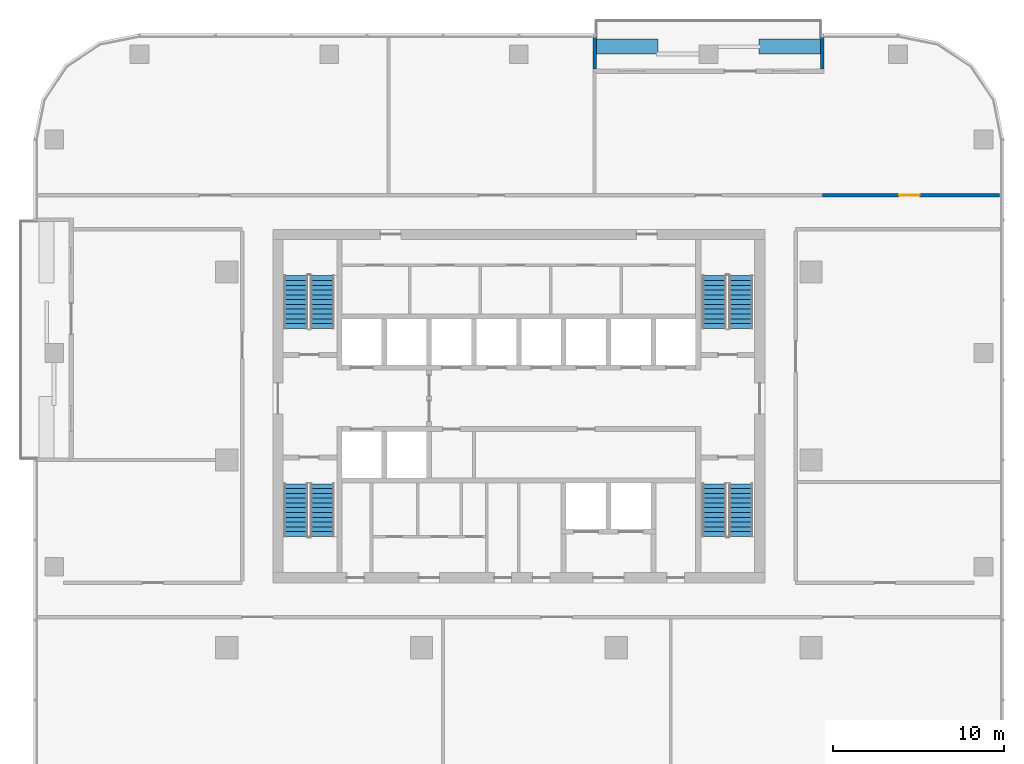
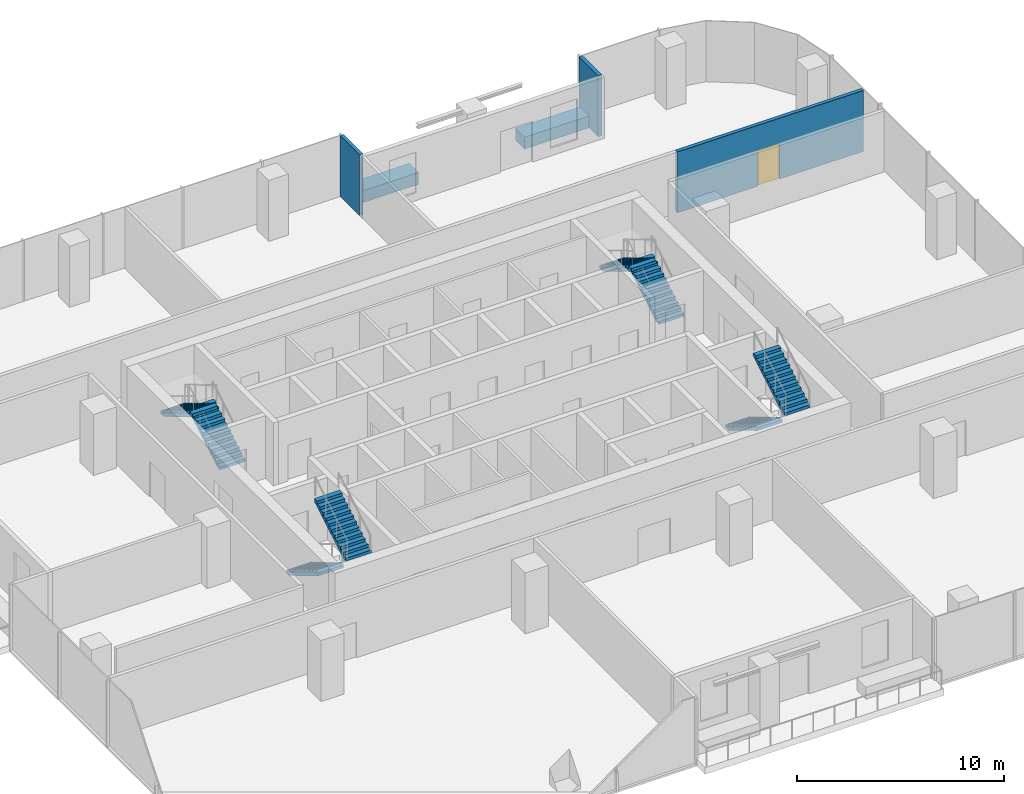
# One storey, part 10 of 14: 8 stair flights, 5 walls, 1 door, 1 opening, 4 elements without a shape of their own.
"""IFC4 building model written with IfcOpenShell, lengths in metres."""

from ifc_helpers import new_model, si_unit, direction, frame, frame_2d, origin, place, context, subcontext, project, spatial, polyline, rectangle, outline, extrude, material, layer, layer_set, type_object, element, fill, aggregate, save


model = new_model("IFC4")

# Units and contexts
model_context = context("Model", 3, precision=1e-05, world=origin(), true_north=direction((0.0, 1.0)))
body_context = subcontext(model_context, "Body", "Model", "MODEL_VIEW")
ifc_project = project(units=[si_unit("LENGTHUNIT", "METRE"), si_unit("AREAUNIT", "SQUARE_METRE"), si_unit("VOLUMEUNIT", "CUBIC_METRE"), si_unit("PLANEANGLEUNIT", "RADIAN"), si_unit("MASSUNIT", "GRAM", prefix="KILO")], contexts=[model_context])

# Site, building, storey
site_placement = place(None, origin())
site = spatial("IfcSite", under=ifc_project, at=site_placement, CompositionType="ELEMENT")
building_placement = place(site_placement, origin())
building = spatial("IfcBuilding", under=site, at=building_placement, Name="Mopane Tessera Tower", CompositionType="ELEMENT")
storey_placement = place(building_placement, frame((0.0, 0.0, 239.0)))
storey = spatial("IfcBuildingStorey", under=building, at=storey_placement, Name="L51", CompositionType="ELEMENT", Elevation=239.0)

# Wall, opening, door
ifc_material_1 = material(Name="Gypsum board on steel studs, two layers each face, mineral wool infill", Category="steel")
ifc_layer_1 = layer(ifc_material_1, 0.199951171875)
ifc_layer_set_1 = layer_set([ifc_layer_1], Name="Gypsum board on steel studs, two layers each face, mineral wool infill")
wall_type_1 = type_object("IfcWallType", Name="Gypsum board corridor wall 200, rated EI 60", PredefinedType="PARTITIONING", material=ifc_layer_set_1)
wall_placement = place(storey_placement, frame((17.784912109375, 15.5, 0.0), z_axis=(0.0, 0.0, 1.0), x_axis=(1.0, 0.0, 0.0)))
wall = element("IfcWall", 1, at=wall_placement, inside=storey, type_object=wall_type_1, Name="Partition L51:008", PredefinedType="PARTITIONING", context=body_context, shape_type="SweptSolid", body=[
    extrude(rectangle(XDim=10.364990234375, YDim=0.199951171875, at=frame_2d((5.1826171875, 0.0))), origin(), (0.0, 0.0, 1.0), 3.60009765625),
])
opening_placement = place(wall_placement, frame((4.482421875, 0.0, 0.0)))
opening = element("IfcOpeningElement", 2, at=opening_placement, cuts=wall, Name="Opening L51-04", PredefinedType="OPENING", context=body_context, shape_type="SweptSolid", body=[
    extrude(rectangle(XDim=1.199951171875, YDim=2.10009765625, at=frame_2d((0.60009765625, 1.050048828125))), frame((0.0, 0.112060546875, 0.0), z_axis=(0.0, -1.0, 0.0), x_axis=(1.0, 0.0, 0.0)), (0.0, 0.0, 1.0), 0.223876953125),
])
ifc_material_2 = material(Name="Timber veneered steel-framed fire door", Category="steel")
door_type = type_object("IfcDoorType", Name="Fire door FD60 1200 x 2100", OperationType="SINGLE_SWING_LEFT", PredefinedType="DOOR", material=ifc_material_2)
door_placement = place(opening_placement, origin())
door = element("IfcDoor", 3, at=door_placement, inside=storey, type_object=door_type, Name="Door L51-04", ObjectType="D15A", OperationType="SINGLE_SWING_LEFT", OverallHeight=2.10009765625, OverallWidth=1.199951171875, PredefinedType="DOOR", context=body_context, shape_type="SweptSolid", body=[
    extrude(rectangle(XDim=1.199951171875, YDim=2.10009765625, at=frame_2d((0.60009765625, 1.050048828125))), frame((0.0, 0.02490234375, 0.0), z_axis=(0.0, -1.0, 0.0), x_axis=(1.0, 0.0, 0.0)), (0.0, 0.0, 1.0), 0.050048828125),
])
fill(opening, door)

# Walls
ifc_material_3 = material(Name="Reinforced concrete C32/40 with waterproofing", Category="concrete")
ifc_layer_2 = layer(ifc_material_3, 0.89990234375)
ifc_layer_set_2 = layer_set([ifc_layer_2], Name="Reinforced concrete C32/40 with waterproofing")
wall_type_2 = type_object("IfcWallType", Name="Planter trough 3600 x 900", PredefinedType="STANDARD", material=ifc_layer_set_2)
for number, where, z_axis, x_axis, name in (
    (4, (17.659912109375, 24.199951171875, 0.0), (0.0, 0.0, 1.0), (-1.0, 0.0, 0.0), "e:nw:L51:N2:pl0"),
    (5, (8.139892578125, 24.199951171875, 0.0), (0.0, 0.0, 1.0), (-1.0, 0.0, 0.0), "e:nw:L51:N2:pl1"),
):
    element("IfcWall", number, at=place(storey_placement, frame(where, z_axis=z_axis, x_axis=x_axis)), inside=storey, type_object=wall_type_2, Name=name, PredefinedType="STANDARD", context=body_context, shape_type="SweptSolid", body=[
        extrude(rectangle(XDim=3.599853515625, YDim=0.89990234375, at=frame_2d((1.7998046875, 0.0))), origin(), (0.0, 0.0, 1.0), 0.699951171875),
    ])
ifc_material_4 = material(Name="Blockwork with glazed tile facing", Category="masonry")
ifc_layer_3 = layer(ifc_material_4, 0.199951171875)
ifc_layer_set_3 = layer_set([ifc_layer_3], Name="Blockwork with glazed tile facing")
wall_type_3 = type_object("IfcWallType", Name="Terrace cheek wall 200", PredefinedType="STANDARD", material=ifc_layer_set_3)
for number, where, z_axis, x_axis, name in (
    (6, (17.760009765625, 24.75, 0.0), (0.0, 0.0, 1.0), (0.0, -1.0, 0.0), "e:nw:L51:N2:cheeka"),
    (7, (4.43994140625, 24.75, 0.0), (0.0, 0.0, 1.0), (0.0, -1.0, 0.0), "e:nw:L51:N2:cheekb"),
):
    element("IfcWall", number, at=place(storey_placement, frame(where, z_axis=z_axis, x_axis=x_axis)), inside=storey, type_object=wall_type_3, Name=name, PredefinedType="STANDARD", context=body_context, shape_type="SweptSolid", body=[
        extrude(rectangle(XDim=1.875, YDim=0.199951171875, at=frame_2d((0.9375, 0.0))), origin(), (0.0, 0.0, 1.0), 3.60009765625),
    ])

# Stair, stair flights
ifc_material_5 = material(Name="Concrete C50/60", Category="concrete")
stair_type = type_object("IfcStairType", Name="Escape stair 1400 mm, riser 167 mm", PredefinedType="HALF_TURN_STAIR", material=ifc_material_5)
stair_1_placement = place(storey_placement, origin())
stair_1 = element("IfcStair", 8, at=stair_1_placement, inside=storey, type_object=stair_type, Name="L51 Escape stair south-west", PredefinedType="HALF_TURN_STAIR")
ifc_material_6 = material(Name="Concrete C50/60", Category="concrete")
stair_flight_type = type_object("IfcStairFlightType", Name="Escape stair flight 1400 mm", PredefinedType="STRAIGHT", material=ifc_material_6)
stair_flight_1_placement = place(storey_placement, frame((-13.050048828125, -1.39990234375, 0.0), z_axis=(0.0, 0.0, 1.0), x_axis=(0.0, -1.0, 0.0)))
stair_flight_1 = element("IfcStairFlight", 9, at=stair_flight_1_placement, type_object=stair_flight_type, Name="ST1 flight 1", NumberOfRisers=12, NumberOfTreads=11, PredefinedType="STRAIGHT", RiserHeight=0.166666667, TreadLength=0.28, context=body_context, shape_type="SweptSolid", body=[
    extrude(outline(polyline([(0.0, 0.0), (0.0, 0.166748046875), (0.280029296875, 0.166748046875), (0.280029296875, 0.333251953125), (0.56005859375, 0.333251953125), (0.56005859375, 0.5), (0.840087890625, 0.5), (0.840087890625, 0.666748046875), (1.1201171875, 0.666748046875), (1.1201171875, 0.833251953125), (1.39990234375, 0.833251953125), (1.39990234375, 1.0), (1.679931640625, 1.0), (1.679931640625, 1.166748046875), (1.9599609375, 1.166748046875), (1.9599609375, 1.333251953125), (2.239990234375, 1.333251953125), (2.239990234375, 1.5), (2.52001953125, 1.5), (2.52001953125, 1.666748046875), (2.800048828125, 1.666748046875), (2.800048828125, 1.833251953125), (3.080078125, 1.833251953125), (3.080078125, 2.0), (3.080078125, 1.658935546875), (0.29296875, 0.0), (0.0, 0.0)])), frame((0.0, 0.699951171875, 0.0), z_axis=(0.0, -1.0, 0.0), x_axis=(1.0, 0.0, 0.0)), (0.0, 0.0, 1.0), 1.39990234375),
])
stair_flight_2_placement = place(storey_placement, frame((-11.5, -4.47998046875, 2.0), z_axis=(0.0, 0.0, 1.0), x_axis=(0.0, 1.0, 0.0)))
stair_flight_2 = element("IfcStairFlight", 10, at=stair_flight_2_placement, type_object=stair_flight_type, Name="ST1 flight 2", NumberOfRisers=12, NumberOfTreads=11, PredefinedType="STRAIGHT", RiserHeight=0.166666667, TreadLength=0.28, context=body_context, shape_type="SweptSolid", body=[
    extrude(outline(polyline([(0.0, 0.0), (0.0, 0.166748046875), (0.280029296875, 0.166748046875), (0.280029296875, 0.333251953125), (0.56005859375, 0.333251953125), (0.56005859375, 0.5), (0.840087890625, 0.5), (0.840087890625, 0.666748046875), (1.1201171875, 0.666748046875), (1.1201171875, 0.833251953125), (1.39990234375, 0.833251953125), (1.39990234375, 1.0), (1.679931640625, 1.0), (1.679931640625, 1.166748046875), (1.9599609375, 1.166748046875), (1.9599609375, 1.333251953125), (2.239990234375, 1.333251953125), (2.239990234375, 1.5), (2.52001953125, 1.5), (2.52001953125, 1.666748046875), (2.800048828125, 1.666748046875), (2.800048828125, 1.833251953125), (3.080078125, 1.833251953125), (3.080078125, 2.0), (3.080078125, 1.658935546875), (0.29296875, 0.0), (0.0, 0.0)])), frame((0.0, 0.699951171875, 0.0), z_axis=(0.0, -1.0, 0.0), x_axis=(1.0, 0.0, 0.0)), (0.0, 0.0, 1.0), 1.39990234375),
])
aggregate(stair_1, [stair_flight_1, stair_flight_2])

stair_2_placement = place(storey_placement, origin())
stair_2 = element("IfcStair", 11, at=stair_2_placement, inside=storey, type_object=stair_type, Name="L51 Escape stair north-west", PredefinedType="HALF_TURN_STAIR")
stair_flight_3_placement = place(storey_placement, frame((-11.5, 7.699951171875, 0.0), z_axis=(0.0, 0.0, 1.0), x_axis=(0.0, 1.0, 0.0)))
stair_flight_3 = element("IfcStairFlight", 12, at=stair_flight_3_placement, type_object=stair_flight_type, Name="ST2 flight 1", NumberOfRisers=12, NumberOfTreads=11, PredefinedType="STRAIGHT", RiserHeight=0.166666667, TreadLength=0.28, context=body_context, shape_type="SweptSolid", body=[
    extrude(outline(polyline([(0.0, 0.0), (0.0, 0.166748046875), (0.280029296875, 0.166748046875), (0.280029296875, 0.333251953125), (0.56005859375, 0.333251953125), (0.56005859375, 0.5), (0.840087890625, 0.5), (0.840087890625, 0.666748046875), (1.1201171875, 0.666748046875), (1.1201171875, 0.833251953125), (1.39990234375, 0.833251953125), (1.39990234375, 1.0), (1.679931640625, 1.0), (1.679931640625, 1.166748046875), (1.9599609375, 1.166748046875), (1.9599609375, 1.333251953125), (2.239990234375, 1.333251953125), (2.239990234375, 1.5), (2.52001953125, 1.5), (2.52001953125, 1.666748046875), (2.800048828125, 1.666748046875), (2.800048828125, 1.833251953125), (3.080078125, 1.833251953125), (3.080078125, 2.0), (3.080078125, 1.658935546875), (0.29296875, 0.0), (0.0, 0.0)])), frame((0.0, 0.699951171875, 0.0), z_axis=(0.0, -1.0, 0.0), x_axis=(1.0, 0.0, 0.0)), (0.0, 0.0, 1.0), 1.39990234375),
])
stair_flight_4_placement = place(storey_placement, frame((-13.050048828125, 10.780029296875, 2.0), z_axis=(0.0, 0.0, 1.0), x_axis=(0.0, -1.0, 0.0)))
stair_flight_4 = element("IfcStairFlight", 13, at=stair_flight_4_placement, type_object=stair_flight_type, Name="ST2 flight 2", NumberOfRisers=12, NumberOfTreads=11, PredefinedType="STRAIGHT", RiserHeight=0.166666667, TreadLength=0.28, context=body_context, shape_type="SweptSolid", body=[
    extrude(outline(polyline([(0.0, 0.0), (0.0, 0.166748046875), (0.280029296875, 0.166748046875), (0.280029296875, 0.333251953125), (0.56005859375, 0.333251953125), (0.56005859375, 0.5), (0.840087890625, 0.5), (0.840087890625, 0.666748046875), (1.1201171875, 0.666748046875), (1.1201171875, 0.833251953125), (1.39990234375, 0.833251953125), (1.39990234375, 1.0), (1.679931640625, 1.0), (1.679931640625, 1.166748046875), (1.9599609375, 1.166748046875), (1.9599609375, 1.333251953125), (2.239990234375, 1.333251953125), (2.239990234375, 1.5), (2.52001953125, 1.5), (2.52001953125, 1.666748046875), (2.800048828125, 1.666748046875), (2.800048828125, 1.833251953125), (3.080078125, 1.833251953125), (3.080078125, 2.0), (3.080078125, 1.658935546875), (0.29296875, 0.0), (0.0, 0.0)])), frame((0.0, 0.699951171875, 0.0), z_axis=(0.0, -1.0, 0.0), x_axis=(1.0, 0.0, 0.0)), (0.0, 0.0, 1.0), 1.39990234375),
])
aggregate(stair_2, [stair_flight_3, stair_flight_4])

stair_3_placement = place(storey_placement, origin())
stair_3 = element("IfcStair", 14, at=stair_3_placement, inside=storey, type_object=stair_type, Name="L51 Escape stair south-east", PredefinedType="HALF_TURN_STAIR")
stair_flight_5_placement = place(storey_placement, frame((11.449951171875, -1.39990234375, 0.0), z_axis=(0.0, 0.0, 1.0), x_axis=(0.0, -1.0, 0.0)))
stair_flight_5 = element("IfcStairFlight", 15, at=stair_flight_5_placement, type_object=stair_flight_type, Name="ST3 flight 1", NumberOfRisers=12, NumberOfTreads=11, PredefinedType="STRAIGHT", RiserHeight=0.166666667, TreadLength=0.28, context=body_context, shape_type="SweptSolid", body=[
    extrude(outline(polyline([(0.0, 0.0), (0.0, 0.166748046875), (0.280029296875, 0.166748046875), (0.280029296875, 0.333251953125), (0.56005859375, 0.333251953125), (0.56005859375, 0.5), (0.840087890625, 0.5), (0.840087890625, 0.666748046875), (1.1201171875, 0.666748046875), (1.1201171875, 0.833251953125), (1.39990234375, 0.833251953125), (1.39990234375, 1.0), (1.679931640625, 1.0), (1.679931640625, 1.166748046875), (1.9599609375, 1.166748046875), (1.9599609375, 1.333251953125), (2.239990234375, 1.333251953125), (2.239990234375, 1.5), (2.52001953125, 1.5), (2.52001953125, 1.666748046875), (2.800048828125, 1.666748046875), (2.800048828125, 1.833251953125), (3.080078125, 1.833251953125), (3.080078125, 2.0), (3.080078125, 1.658935546875), (0.29296875, 0.0), (0.0, 0.0)])), frame((0.0, 0.699951171875, 0.0), z_axis=(0.0, -1.0, 0.0), x_axis=(1.0, 0.0, 0.0)), (0.0, 0.0, 1.0), 1.39990234375),
])
stair_flight_6_placement = place(storey_placement, frame((13.0, -4.47998046875, 2.0), z_axis=(0.0, 0.0, 1.0), x_axis=(0.0, 1.0, 0.0)))
stair_flight_6 = element("IfcStairFlight", 16, at=stair_flight_6_placement, type_object=stair_flight_type, Name="ST3 flight 2", NumberOfRisers=12, NumberOfTreads=11, PredefinedType="STRAIGHT", RiserHeight=0.166666667, TreadLength=0.28, context=body_context, shape_type="SweptSolid", body=[
    extrude(outline(polyline([(0.0, 0.0), (0.0, 0.166748046875), (0.280029296875, 0.166748046875), (0.280029296875, 0.333251953125), (0.56005859375, 0.333251953125), (0.56005859375, 0.5), (0.840087890625, 0.5), (0.840087890625, 0.666748046875), (1.1201171875, 0.666748046875), (1.1201171875, 0.833251953125), (1.39990234375, 0.833251953125), (1.39990234375, 1.0), (1.679931640625, 1.0), (1.679931640625, 1.166748046875), (1.9599609375, 1.166748046875), (1.9599609375, 1.333251953125), (2.239990234375, 1.333251953125), (2.239990234375, 1.5), (2.52001953125, 1.5), (2.52001953125, 1.666748046875), (2.800048828125, 1.666748046875), (2.800048828125, 1.833251953125), (3.080078125, 1.833251953125), (3.080078125, 2.0), (3.080078125, 1.658935546875), (0.29296875, 0.0), (0.0, 0.0)])), frame((0.0, 0.699951171875, 0.0), z_axis=(0.0, -1.0, 0.0), x_axis=(1.0, 0.0, 0.0)), (0.0, 0.0, 1.0), 1.39990234375),
])
aggregate(stair_3, [stair_flight_5, stair_flight_6])

stair_4_placement = place(storey_placement, origin())
stair_4 = element("IfcStair", 17, at=stair_4_placement, inside=storey, type_object=stair_type, Name="L51 Escape stair north-east", PredefinedType="HALF_TURN_STAIR")
stair_flight_7_placement = place(storey_placement, frame((13.0, 7.699951171875, 0.0), z_axis=(0.0, 0.0, 1.0), x_axis=(0.0, 1.0, 0.0)))
stair_flight_7 = element("IfcStairFlight", 18, at=stair_flight_7_placement, type_object=stair_flight_type, Name="ST4 flight 1", NumberOfRisers=12, NumberOfTreads=11, PredefinedType="STRAIGHT", RiserHeight=0.166666667, TreadLength=0.28, context=body_context, shape_type="SweptSolid", body=[
    extrude(outline(polyline([(0.0, 0.0), (0.0, 0.166748046875), (0.280029296875, 0.166748046875), (0.280029296875, 0.333251953125), (0.56005859375, 0.333251953125), (0.56005859375, 0.5), (0.840087890625, 0.5), (0.840087890625, 0.666748046875), (1.1201171875, 0.666748046875), (1.1201171875, 0.833251953125), (1.39990234375, 0.833251953125), (1.39990234375, 1.0), (1.679931640625, 1.0), (1.679931640625, 1.166748046875), (1.9599609375, 1.166748046875), (1.9599609375, 1.333251953125), (2.239990234375, 1.333251953125), (2.239990234375, 1.5), (2.52001953125, 1.5), (2.52001953125, 1.666748046875), (2.800048828125, 1.666748046875), (2.800048828125, 1.833251953125), (3.080078125, 1.833251953125), (3.080078125, 2.0), (3.080078125, 1.658935546875), (0.29296875, 0.0), (0.0, 0.0)])), frame((0.0, 0.699951171875, 0.0), z_axis=(0.0, -1.0, 0.0), x_axis=(1.0, 0.0, 0.0)), (0.0, 0.0, 1.0), 1.39990234375),
])
stair_flight_8_placement = place(storey_placement, frame((11.449951171875, 10.780029296875, 2.0), z_axis=(0.0, 0.0, 1.0), x_axis=(0.0, -1.0, 0.0)))
stair_flight_8 = element("IfcStairFlight", 19, at=stair_flight_8_placement, type_object=stair_flight_type, Name="ST4 flight 2", NumberOfRisers=12, NumberOfTreads=11, PredefinedType="STRAIGHT", RiserHeight=0.166666667, TreadLength=0.28, context=body_context, shape_type="SweptSolid", body=[
    extrude(outline(polyline([(0.0, 0.0), (0.0, 0.166748046875), (0.280029296875, 0.166748046875), (0.280029296875, 0.333251953125), (0.56005859375, 0.333251953125), (0.56005859375, 0.5), (0.840087890625, 0.5), (0.840087890625, 0.666748046875), (1.1201171875, 0.666748046875), (1.1201171875, 0.833251953125), (1.39990234375, 0.833251953125), (1.39990234375, 1.0), (1.679931640625, 1.0), (1.679931640625, 1.166748046875), (1.9599609375, 1.166748046875), (1.9599609375, 1.333251953125), (2.239990234375, 1.333251953125), (2.239990234375, 1.5), (2.52001953125, 1.5), (2.52001953125, 1.666748046875), (2.800048828125, 1.666748046875), (2.800048828125, 1.833251953125), (3.080078125, 1.833251953125), (3.080078125, 2.0), (3.080078125, 1.658935546875), (0.29296875, 0.0), (0.0, 0.0)])), frame((0.0, 0.699951171875, 0.0), z_axis=(0.0, -1.0, 0.0), x_axis=(1.0, 0.0, 0.0)), (0.0, 0.0, 1.0), 1.39990234375),
])
aggregate(stair_4, [stair_flight_7, stair_flight_8])

save(model, "model.ifc")
